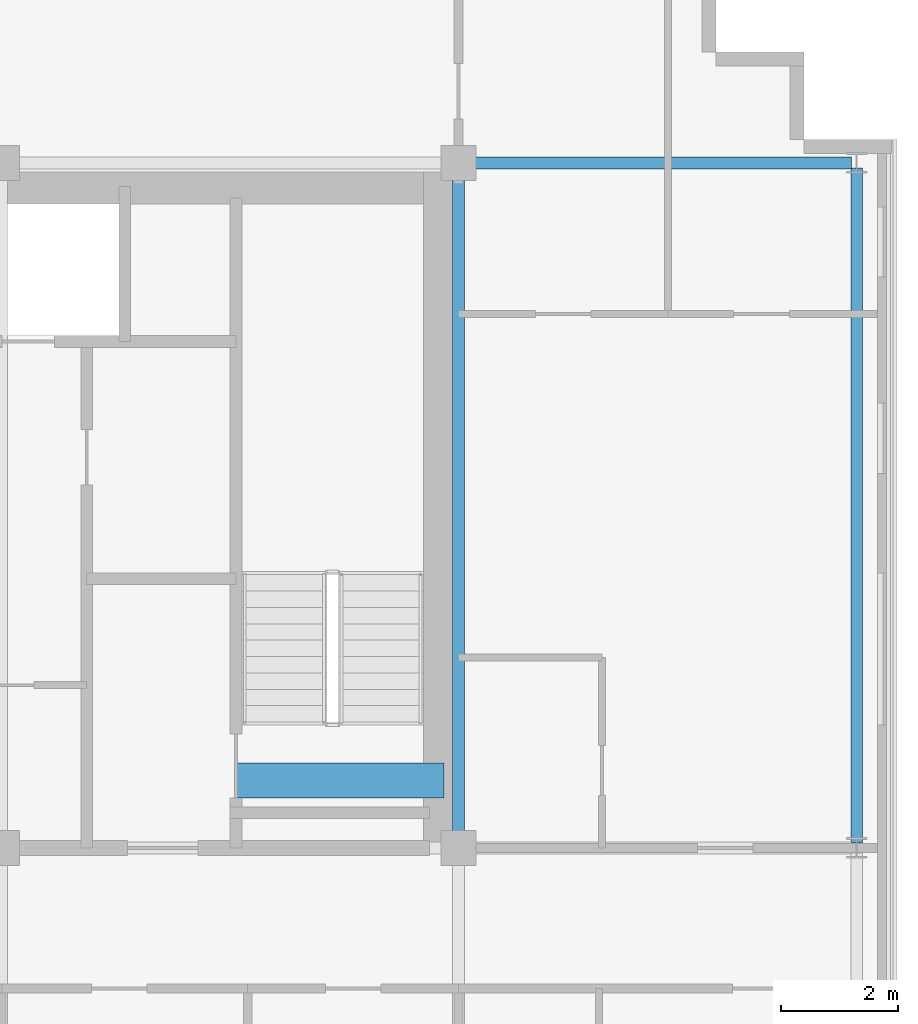
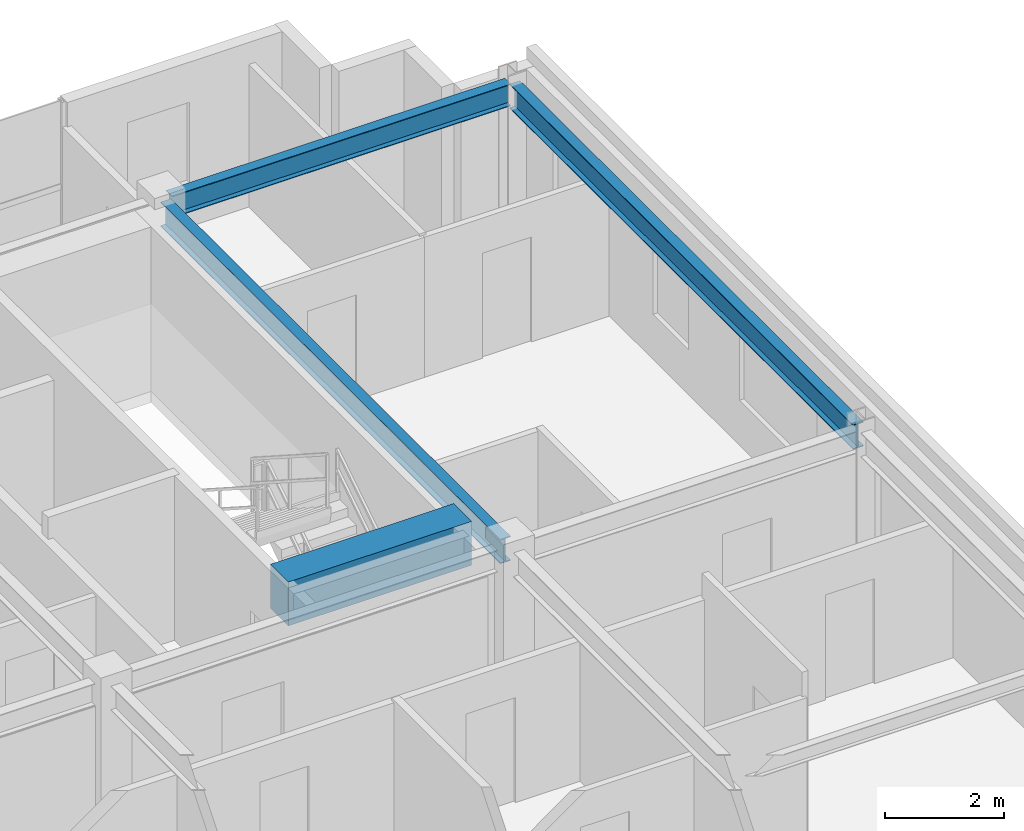
# One storey, part 13 of 22: 4 beams.
"""IFC4 building model written with IfcOpenShell, lengths in metres."""

from ifc_helpers import new_model, si_unit, direction, frame, origin, origin_2d, place, context, subcontext, project, spatial, rectangle, i_section, extrude, source, transform, mapped, material, material_profile, profile_set, type_object, element, save


model = new_model("IFC4")

# Units and contexts
model_context = context("Model", 3, precision=1e-05, world=origin(), true_north=direction((0.0, 1.0)))
body_context = subcontext(model_context, "Body", "Model", "MODEL_VIEW")
ifc_project = project(units=[si_unit("LENGTHUNIT", "METRE"), si_unit("AREAUNIT", "SQUARE_METRE"), si_unit("VOLUMEUNIT", "CUBIC_METRE"), si_unit("PLANEANGLEUNIT", "RADIAN"), si_unit("MASSUNIT", "GRAM", prefix="KILO")], contexts=[model_context])

# Site, building, storey
site_placement = place(None, origin())
site = spatial("IfcSite", under=ifc_project, at=site_placement, CompositionType="ELEMENT")
building_placement = place(site_placement, origin())
building = spatial("IfcBuilding", under=site, at=building_placement, Name="Trelvane Seafront Commons", CompositionType="ELEMENT")
storey_placement = place(building_placement, frame((0.0, 0.0, 270.300048828125)))
storey = spatial("IfcBuildingStorey", under=building, at=storey_placement, Name="L70", CompositionType="ELEMENT", Elevation=270.300048828125)

# Beams
ifc_material_1 = material(Name="Concrete C60/75", Category="concrete")
ifc_material_profile_1 = material_profile(ifc_material_1, rectangle(XDim=0.60009765625, YDim=0.89990234375, at=origin_2d()), Name="RC-600x900")
ifc_profile_set_1 = profile_set([ifc_material_profile_1], Name="Concrete C60/75")
beam_type_1 = type_object("IfcBeamType", Name="STR-LNT-RC600x900", PredefinedType="LINTEL", material=ifc_profile_set_1)
shared_shape_1 = source(origin(), body_context, "Body", "SweptSolid", [
    extrude(rectangle(XDim=0.60009765625, YDim=0.89990234375, at=origin_2d()), origin(), (0.0, 0.0, 1.0), 3.550048828125),
])
beam_1_placement = place(storey_placement, frame((55.0, 34.550048828125, 2.919921875), z_axis=(1.0, 0.0, 0.0), x_axis=(0.0, 1.0, 0.0)))
element("IfcBeam", 1, at=beam_1_placement, inside=storey, type_object=beam_type_1, Name="L70 Core Coupling Lintel Beam CB-68", PredefinedType="LINTEL", context=body_context, shape_type="MappedRepresentation", body=[
    mapped(shared_shape_1, transform((0.0, 0.0, 0.0), x_axis=(1.0, 0.0, 0.0), y_axis=(0.0, 1.0, 0.0), z_axis=(0.0, 0.0, 1.0), scale=1.0)),
])
ifc_material_2 = material(Name="Steel SM355 (S355)", Category="steel")
ifc_material_profile_2 = material_profile(ifc_material_2, i_section(OverallWidth=0.199951171875, OverallDepth=0.5, WebThickness=0.010009765625, FlangeThickness=0.01611328125, at=origin_2d()), Name="H-500x200x10x16")
ifc_profile_set_2 = profile_set([ifc_material_profile_2], Name="Steel SM355 (S355)")
beam_type_2 = type_object("IfcBeamType", Name="STR-BM-H500", PredefinedType="BEAM", material=ifc_profile_set_2)
shared_shape_2 = source(origin(), body_context, "Body", "SweptSolid", [
    extrude(i_section(OverallWidth=0.199951171875, OverallDepth=0.5, WebThickness=0.010009765625, FlangeThickness=0.01611328125, at=origin_2d()), origin(), (0.0, 0.0, 1.0), 11.39990234375),
])
beam_2_placement = place(storey_placement, frame((58.800048828125, 33.550048828125, 3.119873046875), z_axis=(0.0, 1.0, 0.0), x_axis=(-1.0, 0.0, 0.0)))
element("IfcBeam", 2, at=beam_2_placement, inside=storey, type_object=beam_type_2, Name="L70 Primary Girder G-49", PredefinedType="BEAM", context=body_context, shape_type="MappedRepresentation", body=[
    mapped(shared_shape_2, transform((0.0, 0.0, 0.0), x_axis=(1.0, 0.0, 0.0), y_axis=(0.0, 1.0, 0.0), z_axis=(0.0, 0.0, 1.0), scale=1.0)),
])
ifc_material_profile_3 = material_profile(ifc_material_2, i_section(OverallWidth=0.199951171875, OverallDepth=0.449951171875, WebThickness=0.009033203125, FlangeThickness=0.013916015625, at=origin_2d()), Name="H-450x200x9x14")
ifc_profile_set_3 = profile_set([ifc_material_profile_3], Name="Steel SM355 (S355)")
beam_type_3 = type_object("IfcBeamType", Name="STR-SPD-H450", PredefinedType="SPANDREL", material=ifc_profile_set_3)
shared_shape_3 = source(origin(), body_context, "Body", "SweptSolid", [
    extrude(i_section(OverallWidth=0.199951171875, OverallDepth=0.449951171875, WebThickness=0.009033203125, FlangeThickness=0.013916015625, at=origin_2d()), origin(), (0.0, 0.0, 1.0), 6.5625),
])
beam_3_placement = place(storey_placement, frame((58.949951171875, 45.10009765625, 3.14501953125), z_axis=(1.0, 0.0, 0.0), x_axis=(0.0, 1.0, 0.0)))
element("IfcBeam", 3, at=beam_3_placement, inside=storey, type_object=beam_type_3, Name="L70 Primary Girder G-28", PredefinedType="SPANDREL", context=body_context, shape_type="MappedRepresentation", body=[
    mapped(shared_shape_3, transform((0.0, 0.0, 0.0), x_axis=(1.0, 0.0, 0.0), y_axis=(0.0, 1.0, 0.0), z_axis=(0.0, 0.0, 1.0), scale=1.0)),
])
shared_shape_4 = source(origin(), body_context, "Body", "SweptSolid", [
    extrude(i_section(OverallWidth=0.199951171875, OverallDepth=0.5, WebThickness=0.010009765625, FlangeThickness=0.01611328125, at=origin_2d()), origin(), (0.0, 0.0, 1.0), 11.52490234375),
])
beam_4_placement = place(storey_placement, frame((65.60009765625, 33.487548828125, 3.119873046875), z_axis=(0.0, 1.0, 0.0), x_axis=(-1.0, 0.0, 0.0)))
element("IfcBeam", 4, at=beam_4_placement, inside=storey, type_object=beam_type_2, Name="L70 Primary Girder G-52", PredefinedType="BEAM", context=body_context, shape_type="MappedRepresentation", body=[
    mapped(shared_shape_4, transform((0.0, 0.0, 0.0), x_axis=(1.0, 0.0, 0.0), y_axis=(0.0, 1.0, 0.0), z_axis=(0.0, 0.0, 1.0), scale=1.0)),
])

save(model, "model.ifc")
